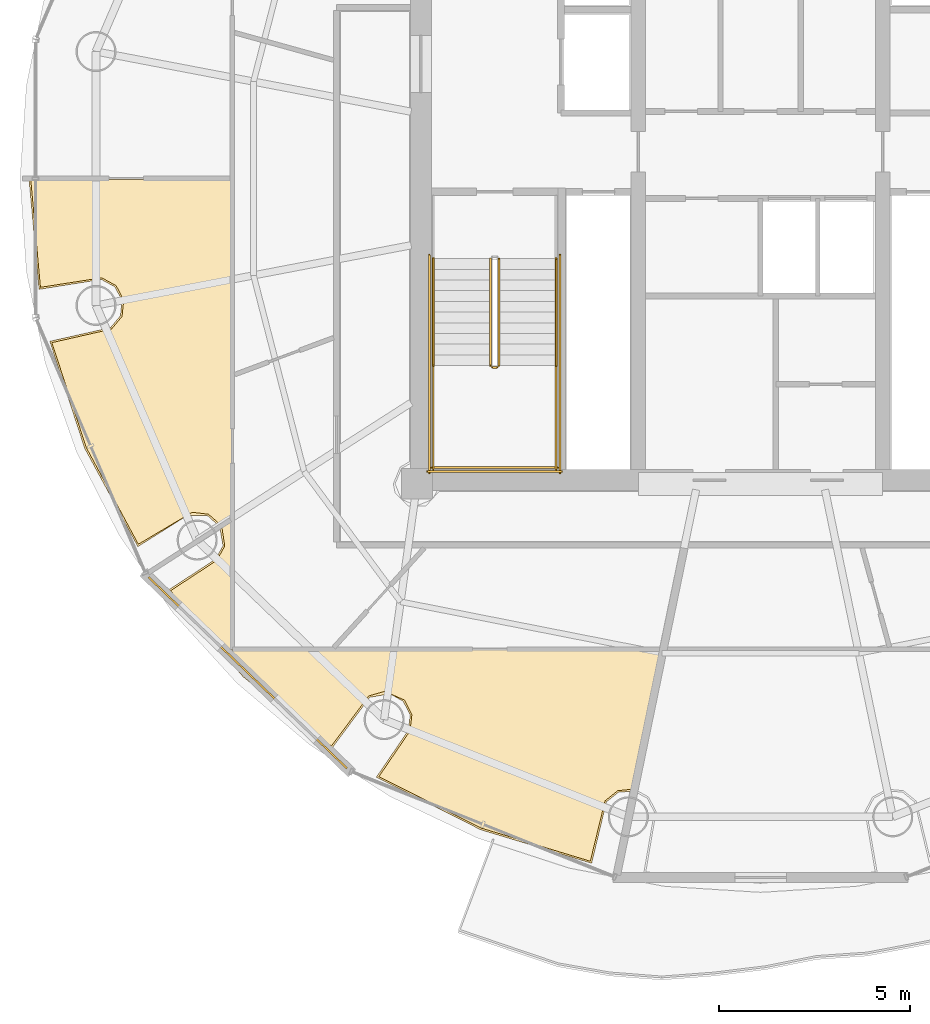
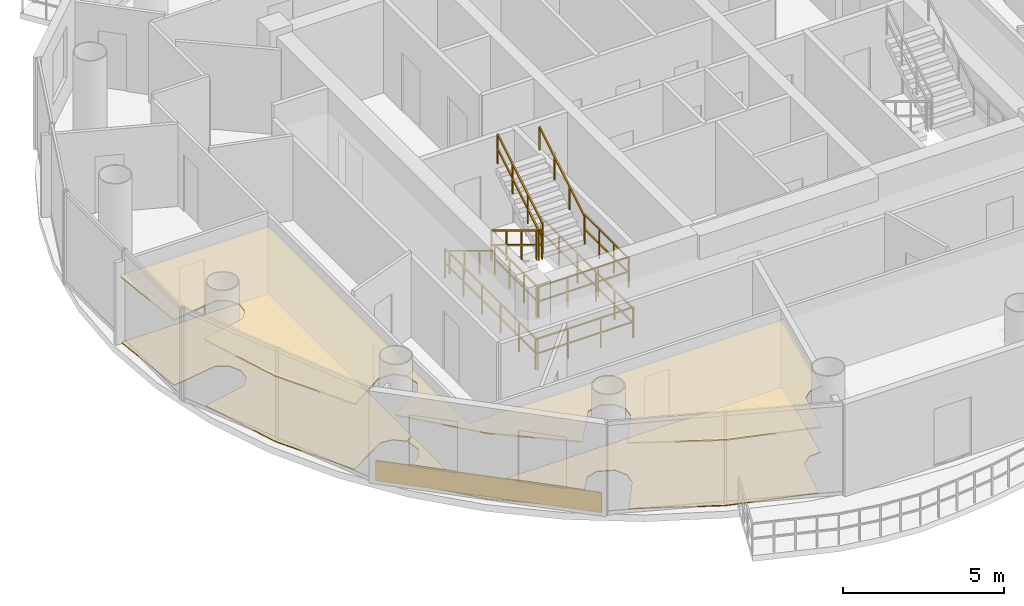
# One storey, part 19 of 22: 11 railings, 5 coverings.
"""IFC4 building model written with IfcOpenShell, lengths in metres."""

from ifc_helpers import new_model, si_unit, direction, frame, origin, origin_2d, place, context, subcontext, project, spatial, polyline, rectangle, outline, extrude, source, transform, mapped, material, layer, layer_set, type_object, element, save


model = new_model("IFC4")

# Units and contexts
model_context = context("Model", 3, precision=1e-05, world=origin(), true_north=direction((-0.2419218956, 0.970295726276)))
body_context = subcontext(model_context, "Body", "Model", "MODEL_VIEW")
ifc_project = project(units=[si_unit("LENGTHUNIT", "METRE"), si_unit("AREAUNIT", "SQUARE_METRE"), si_unit("VOLUMEUNIT", "CUBIC_METRE"), si_unit("PLANEANGLEUNIT", "RADIAN"), si_unit("MASSUNIT", "GRAM", prefix="KILO")], contexts=[model_context])

# Site, building, storey
site_placement = place(None, origin())
site = spatial("IfcSite", under=ifc_project, at=site_placement, CompositionType="ELEMENT")
building_placement = place(site_placement, origin())
building = spatial("IfcBuilding", under=site, at=building_placement, Name="Cobrevalo Terracotta Tower", CompositionType="ELEMENT")
storey_placement = place(building_placement, frame((0.0, 0.0, 289.449951171875)))
storey = spatial("IfcBuildingStorey", under=building, at=storey_placement, Name="L76", CompositionType="ELEMENT", Elevation=289.449951171875)

# Coverings
ifc_material_1 = material(Name="Engineered Brazilian hardwood flooring", Category="wood")
ifc_layer_1 = layer(ifc_material_1, 0.028076171875)
ifc_layer_set_1 = layer_set([ifc_layer_1], Name="Engineered Brazilian hardwood flooring")
covering_type_1 = type_object("IfcCoveringType", Name="Engineered Hardwood Suite Flooring 28", PredefinedType="FLOORING", material=ifc_layer_set_1)
covering_1_placement = place(storey_placement, origin())
element("IfcCovering", 1, at=covering_1_placement, inside=storey, type_object=covering_type_1, Name="Flat L76A Penthouse Family Lounge floor finish", PredefinedType="FLOORING", context=body_context, shape_type="SweptSolid", body=[
    extrude(outline(polyline([(20.33544921875, 19.751220703125), (19.43505859375, 22.49951171875), (20.99755859375, 22.855224609375), (21.272705078125, 23.185302734375), (21.318115234375, 23.612548828125), (21.118408203125, 23.9931640625), (20.740966796875, 24.198486328125), (19.1357421875, 23.948974609375), (18.88134765625, 26.780029296875), (24.14501953125, 26.780029296875), (24.14501953125, 17.900146484375), (23.864501953125, 17.719482421875), (23.537109375, 18.005859375), (23.1103515625, 18.055908203125), (21.699951171875, 17.217529296875), (20.33544921875, 19.751220703125)])), origin(), (0.0, 0.0, 1.0), 0.030029296875),
])
covering_2_placement = place(storey_placement, origin())
element("IfcCovering", 2, at=covering_2_placement, inside=storey, type_object=covering_type_1, Name="Flat L76A Private Cinema Room floor finish", PredefinedType="FLOORING", context=body_context, shape_type="SweptSolid", body=[
    extrude(outline(polyline([(28.00146484375, 11.130126953125), (28.81689453125, 12.327392578125), (28.8671875, 12.754150390625), (28.671630859375, 13.136962890625), (28.152587890625, 13.363525390625), (27.739013671875, 13.246337890625), (26.756103515625, 11.931884765625), (24.47998046875, 13.775390625), (22.5439453125, 16.00048828125), (23.7548828125, 16.794677734375), (23.964599609375, 17.169677734375), (23.885498046875, 17.685546875), (24.14501953125, 17.8525390625), (24.14501953125, 14.445068359375), (35.429931640625, 14.445068359375), (34.678466796875, 10.80322265625), (34.25927734375, 10.763671875), (33.925048828125, 10.49365234375), (33.54052734375, 8.9140625), (30.682861328125, 9.7822265625), (28.00146484375, 11.130126953125)])), origin(), (0.0, 0.0, 1.0), 0.030029296875),
])
ifc_material_2 = material(Name="Acoustic perforated gypsum ceiling", Category="gypsum")
ifc_layer_2 = layer(ifc_material_2, 0.050048828125)
ifc_layer_set_2 = layer_set([ifc_layer_2], Name="Acoustic perforated gypsum ceiling")
covering_type_2 = type_object("IfcCoveringType", Name="Perforated Acoustic Gypsum Ceiling 50", PredefinedType="CEILING", material=ifc_layer_set_2)
covering_3_placement = place(storey_placement, frame((0.0, 0.0, 2.5)))
element("IfcCovering", 3, at=covering_3_placement, inside=storey, type_object=covering_type_2, Name="Flat L76A Penthouse Family Lounge acoustic ceiling", PredefinedType="CEILING", context=body_context, shape_type="SweptSolid", body=[
    extrude(outline(polyline([(20.2939453125, 19.7333984375), (19.3818359375, 22.53515625), (20.97265625, 22.89306640625), (21.23095703125, 23.202880859375), (21.273681640625, 23.60400390625), (21.086181640625, 23.96142578125), (20.731689453125, 24.154296875), (19.100830078125, 23.896484375), (18.833251953125, 26.824951171875), (24.18994140625, 26.824951171875), (24.18994140625, 17.875732421875), (23.853271484375, 17.658935546875), (23.51904296875, 17.964599609375), (22.9873046875, 17.974365234375), (21.687744140625, 17.15625), (20.2939453125, 19.7333984375)])), origin(), (0.0, 0.0, 1.0), 0.050048828125),
])
covering_4_placement = place(storey_placement, frame((0.0, 0.0, 2.5)))
element("IfcCovering", 4, at=covering_4_placement, inside=storey, type_object=covering_type_2, Name="Flat L76A Private Cinema Room acoustic ceiling", PredefinedType="CEILING", context=body_context, shape_type="SweptSolid", body=[
    extrude(outline(polyline([(27.937744140625, 11.11767578125), (28.775634765625, 12.345458984375), (28.822509765625, 12.746337890625), (28.63916015625, 13.10546875), (28.286865234375, 13.30224609375), (27.763427734375, 13.208251953125), (26.768310546875, 11.87060546875), (24.448486328125, 13.742919921875), (22.48046875, 16.01318359375), (23.7236328125, 16.8271484375), (23.92041015625, 17.179443359375), (23.826904296875, 17.701416015625), (24.18994140625, 17.93505859375), (24.18994140625, 14.489990234375), (35.4853515625, 14.489990234375), (34.71435546875, 10.754150390625), (34.2763671875, 10.7216796875), (33.96240234375, 10.46826171875), (33.575439453125, 8.861328125), (30.666259765625, 9.740478515625), (27.937744140625, 11.11767578125)])), origin(), (0.0, 0.0, 1.0), 0.050048828125),
])

# Railings
ifc_material_3 = material(Name="Brushed stainless steel", Category="steel")
railing_type_1 = type_object("IfcRailingType", Name="Stainless Steel Stair Handrail 900", PredefinedType="HANDRAIL", material=ifc_material_3)
railing_1_placement = place(storey_placement, frame((29.425048828125, 24.699951171875, 0.17041015625)))
element("IfcRailing", 5, at=railing_1_placement, inside=storey, type_object=railing_type_1, Name="L76 ST-1 stair handrail 1", PredefinedType="HANDRAIL", context=body_context, shape_type="SweptSolid", body=[
    extrude(rectangle(XDim=0.048095703125, YDim=0.048095703125, at=origin_2d()), frame((0.0, 0.0, 0.8759765625), z_axis=(0.0, -0.854169791009, 0.51999420009), x_axis=(1.0, 0.0, 0.0)), (0.0, 0.0, 1.0), 3.278076171875),
    extrude(rectangle(XDim=0.0419921875, YDim=0.0419921875, at=origin_2d()), origin(), (0.0, 0.0, 1.0), 0.851806640625),
    extrude(rectangle(XDim=0.0419921875, YDim=0.0419921875, at=origin_2d()), frame((0.0, -0.933349609375, 0.568115234375)), (0.0, 0.0, 1.0), 0.851806640625),
    extrude(rectangle(XDim=0.0419921875, YDim=0.0419921875, at=origin_2d()), frame((0.0, -1.86669921875, 1.136474609375)), (0.0, 0.0, 1.0), 0.851806640625),
    extrude(rectangle(XDim=0.0419921875, YDim=0.0419921875, at=origin_2d()), frame((0.0, -2.800048828125, 1.70458984375)), (0.0, 0.0, 1.0), 0.851806640625),
])
railing_2_placement = place(storey_placement, frame((32.64501953125, 21.89990234375, 2.04541015625)))
element("IfcRailing", 6, at=railing_2_placement, inside=storey, type_object=railing_type_1, Name="L76 ST-1 stair handrail 2", PredefinedType="HANDRAIL", context=body_context, shape_type="SweptSolid", body=[
    extrude(rectangle(XDim=0.048095703125, YDim=0.048095703125, at=origin_2d()), frame((0.0, 0.0, 0.8759765625), z_axis=(0.0, 0.854169791009, 0.51999420009), x_axis=(-1.0, 0.0, 0.0)), (0.0, 0.0, 1.0), 3.278076171875),
    extrude(rectangle(XDim=0.0419921875, YDim=0.0419921875, at=origin_2d()), origin(), (0.0, 0.0, 1.0), 0.851806640625),
    extrude(rectangle(XDim=0.0419921875, YDim=0.0419921875, at=origin_2d()), frame((0.0, 0.933349609375, 0.568115234375)), (0.0, 0.0, 1.0), 0.851806640625),
    extrude(rectangle(XDim=0.0419921875, YDim=0.0419921875, at=origin_2d()), frame((0.0, 1.86669921875, 1.136474609375)), (0.0, 0.0, 1.0), 0.851806640625),
    extrude(rectangle(XDim=0.0419921875, YDim=0.0419921875, at=origin_2d()), frame((0.0, 2.800048828125, 1.70458984375)), (0.0, 0.0, 1.0), 0.851806640625),
])
ifc_material_4 = material(Name="Painted galvanized steel", Category="steel")
railing_type_2 = type_object("IfcRailingType", Name="Stair Well Guard Balustrade 1150", PredefinedType="GUARDRAIL", material=ifc_material_4)
railing_3_placement = place(storey_placement, frame((30.925048828125, 24.699951171875, 0.17041015625)))
element("IfcRailing", 7, at=railing_3_placement, inside=storey, type_object=railing_type_2, Name="L76 ST-1 stair guard 1", PredefinedType="GUARDRAIL", context=body_context, shape_type="SweptSolid", body=[
    extrude(rectangle(XDim=0.048095703125, YDim=0.048095703125, at=origin_2d()), frame((0.0, 0.0, 1.1259765625), z_axis=(0.0, -0.854169791009, 0.51999420009), x_axis=(1.0, 0.0, 0.0)), (0.0, 0.0, 1.0), 3.278076171875),
    extrude(rectangle(XDim=0.048095703125, YDim=0.048095703125, at=origin_2d()), frame((0.0, 0.0, 0.574951171875), z_axis=(0.0, -0.854169791009, 0.51999420009), x_axis=(1.0, 0.0, 0.0)), (0.0, 0.0, 1.0), 3.278076171875),
    extrude(rectangle(XDim=0.0419921875, YDim=0.0419921875, at=origin_2d()), origin(), (0.0, 0.0, 1.0), 1.101806640625),
    extrude(rectangle(XDim=0.0419921875, YDim=0.0419921875, at=origin_2d()), frame((0.0, -0.933349609375, 0.568115234375)), (0.0, 0.0, 1.0), 1.101806640625),
    extrude(rectangle(XDim=0.0419921875, YDim=0.0419921875, at=origin_2d()), frame((0.0, -1.86669921875, 1.136474609375)), (0.0, 0.0, 1.0), 1.101806640625),
    extrude(rectangle(XDim=0.0419921875, YDim=0.0419921875, at=origin_2d()), frame((0.0, -2.800048828125, 1.70458984375)), (0.0, 0.0, 1.0), 1.101806640625),
])
railing_4_placement = place(storey_placement, frame((30.97509765625, 21.85009765625, 1.875)))
element("IfcRailing", 8, at=railing_4_placement, inside=storey, type_object=railing_type_2, Name="L76 ST-1 stair guard 2", PredefinedType="GUARDRAIL", context=body_context, shape_type="SweptSolid", body=[
    extrude(rectangle(XDim=0.048095703125, YDim=0.048095703125, at=origin_2d()), frame((0.0, 0.0, 1.1259765625), z_axis=(1.0, 0.0, 0.0), x_axis=(0.0, 1.0, 0.0)), (0.0, 0.0, 1.0), 0.119873046875),
    extrude(rectangle(XDim=0.048095703125, YDim=0.048095703125, at=origin_2d()), frame((0.0, 0.0, 0.574951171875), z_axis=(1.0, 0.0, 0.0), x_axis=(0.0, 1.0, 0.0)), (0.0, 0.0, 1.0), 0.119873046875),
    extrude(rectangle(XDim=0.0419921875, YDim=0.0419921875, at=origin_2d()), origin(), (0.0, 0.0, 1.0), 1.101806640625),
    extrude(rectangle(XDim=0.0419921875, YDim=0.0419921875, at=origin_2d()), frame((0.119873046875, 0.0, 0.0)), (0.0, 0.0, 1.0), 1.101806640625),
])
for number, where, name in (
    (9, (29.425048828125, 21.89990234375, 1.875), "L76 ST-1 stair guard 3"),
    (10, (32.64501953125, 21.89990234375, 1.875), "L76 ST-1 stair guard 4"),
):
    element("IfcRailing", number, at=place(storey_placement, frame(where)), inside=storey, type_object=railing_type_2, Name=name, PredefinedType="GUARDRAIL", context=body_context, shape_type="SweptSolid", body=[
        extrude(rectangle(XDim=0.048095703125, YDim=0.048095703125, at=origin_2d()), frame((0.0, 0.0, 1.1259765625), z_axis=(0.0, -1.0, 0.0), x_axis=(1.0, 0.0, 0.0)), (0.0, 0.0, 1.0), 2.724853515625),
        extrude(rectangle(XDim=0.048095703125, YDim=0.048095703125, at=origin_2d()), frame((0.0, 0.0, 0.574951171875), z_axis=(0.0, -1.0, 0.0), x_axis=(1.0, 0.0, 0.0)), (0.0, 0.0, 1.0), 2.724853515625),
        extrude(rectangle(XDim=0.0419921875, YDim=0.0419921875, at=origin_2d()), origin(), (0.0, 0.0, 1.0), 1.101806640625),
        extrude(rectangle(XDim=0.0419921875, YDim=0.0419921875, at=origin_2d()), frame((0.0, -0.908203125, 0.0)), (0.0, 0.0, 1.0), 1.101806640625),
        extrude(rectangle(XDim=0.0419921875, YDim=0.0419921875, at=origin_2d()), frame((0.0, -1.816650390625, 0.0)), (0.0, 0.0, 1.0), 1.101806640625),
        extrude(rectangle(XDim=0.0419921875, YDim=0.0419921875, at=origin_2d()), frame((0.0, -2.724853515625, 0.0)), (0.0, 0.0, 1.0), 1.101806640625),
    ])
railing_5_placement = place(storey_placement, frame((29.375, 19.22509765625, 1.875)))
element("IfcRailing", 11, at=railing_5_placement, inside=storey, type_object=railing_type_2, Name="L76 ST-1 stair guard 5", PredefinedType="GUARDRAIL", context=body_context, shape_type="SweptSolid", body=[
    extrude(rectangle(XDim=0.048095703125, YDim=0.048095703125, at=origin_2d()), frame((0.0, 0.0, 1.1259765625), z_axis=(1.0, 0.0, 0.0), x_axis=(0.0, 1.0, 0.0)), (0.0, 0.0, 1.0), 3.320068359375),
    extrude(rectangle(XDim=0.048095703125, YDim=0.048095703125, at=origin_2d()), frame((0.0, 0.0, 0.574951171875), z_axis=(1.0, 0.0, 0.0), x_axis=(0.0, 1.0, 0.0)), (0.0, 0.0, 1.0), 3.320068359375),
    extrude(rectangle(XDim=0.0419921875, YDim=0.0419921875, at=origin_2d()), origin(), (0.0, 0.0, 1.0), 1.101806640625),
    extrude(rectangle(XDim=0.0419921875, YDim=0.0419921875, at=origin_2d()), frame((1.106689453125, 0.0, 0.0)), (0.0, 0.0, 1.0), 1.101806640625),
    extrude(rectangle(XDim=0.0419921875, YDim=0.0419921875, at=origin_2d()), frame((2.21337890625, 0.0, 0.0)), (0.0, 0.0, 1.0), 1.101806640625),
    extrude(rectangle(XDim=0.0419921875, YDim=0.0419921875, at=origin_2d()), frame((3.320068359375, 0.0, 0.0)), (0.0, 0.0, 1.0), 1.101806640625),
])
railing_6_placement = place(storey_placement, frame((31.14501953125, 21.89990234375, 2.04541015625)))
element("IfcRailing", 12, at=railing_6_placement, inside=storey, type_object=railing_type_2, Name="L76 ST-1 stair guard 6", PredefinedType="GUARDRAIL", context=body_context, shape_type="SweptSolid", body=[
    extrude(rectangle(XDim=0.048095703125, YDim=0.048095703125, at=origin_2d()), frame((0.0, 0.0, 1.1259765625), z_axis=(0.0, 0.854169791009, 0.51999420009), x_axis=(-1.0, 0.0, 0.0)), (0.0, 0.0, 1.0), 3.278076171875),
    extrude(rectangle(XDim=0.048095703125, YDim=0.048095703125, at=origin_2d()), frame((0.0, 0.0, 0.574951171875), z_axis=(0.0, 0.854169791009, 0.51999420009), x_axis=(-1.0, 0.0, 0.0)), (0.0, 0.0, 1.0), 3.278076171875),
    extrude(rectangle(XDim=0.0419921875, YDim=0.0419921875, at=origin_2d()), origin(), (0.0, 0.0, 1.0), 1.101806640625),
    extrude(rectangle(XDim=0.0419921875, YDim=0.0419921875, at=origin_2d()), frame((0.0, 0.933349609375, 0.568115234375)), (0.0, 0.0, 1.0), 1.101806640625),
    extrude(rectangle(XDim=0.0419921875, YDim=0.0419921875, at=origin_2d()), frame((0.0, 1.86669921875, 1.136474609375)), (0.0, 0.0, 1.0), 1.101806640625),
    extrude(rectangle(XDim=0.0419921875, YDim=0.0419921875, at=origin_2d()), frame((0.0, 2.800048828125, 1.70458984375)), (0.0, 0.0, 1.0), 1.101806640625),
])
for number, where, name in (
    (13, (29.324951171875, 24.800048828125, 0.0), "L76 ST-1 stair guard 10"),
    (14, (32.7451171875, 24.800048828125, 0.0), "L76 ST-1 stair guard 11"),
):
    element("IfcRailing", number, at=place(storey_placement, frame(where)), inside=storey, type_object=railing_type_2, Name=name, PredefinedType="GUARDRAIL", context=body_context, shape_type="SweptSolid", body=[
        extrude(rectangle(XDim=0.048095703125, YDim=0.048095703125, at=origin_2d()), frame((0.0, 0.0, 1.1259765625), z_axis=(0.0, -1.0, 0.0), x_axis=(1.0, 0.0, 0.0)), (0.0, 0.0, 1.0), 5.72509765625),
        extrude(rectangle(XDim=0.048095703125, YDim=0.048095703125, at=origin_2d()), frame((0.0, 0.0, 0.574951171875), z_axis=(0.0, -1.0, 0.0), x_axis=(1.0, 0.0, 0.0)), (0.0, 0.0, 1.0), 5.72509765625),
        extrude(rectangle(XDim=0.0419921875, YDim=0.0419921875, at=origin_2d()), origin(), (0.0, 0.0, 1.0), 1.101806640625),
        extrude(rectangle(XDim=0.0419921875, YDim=0.0419921875, at=origin_2d()), frame((0.0, -1.14501953125, 0.0)), (0.0, 0.0, 1.0), 1.101806640625),
        extrude(rectangle(XDim=0.0419921875, YDim=0.0419921875, at=origin_2d()), frame((0.0, -2.2900390625, 0.0)), (0.0, 0.0, 1.0), 1.101806640625),
        extrude(rectangle(XDim=0.0419921875, YDim=0.0419921875, at=origin_2d()), frame((0.0, -3.43505859375, 0.0)), (0.0, 0.0, 1.0), 1.101806640625),
        extrude(rectangle(XDim=0.0419921875, YDim=0.0419921875, at=origin_2d()), frame((0.0, -4.580078125, 0.0)), (0.0, 0.0, 1.0), 1.101806640625),
        extrude(rectangle(XDim=0.0419921875, YDim=0.0419921875, at=origin_2d()), frame((0.0, -5.72509765625, 0.0)), (0.0, 0.0, 1.0), 1.101806640625),
    ])
railing_7_placement = place(storey_placement, frame((29.27490234375, 19.125, 0.0)))
element("IfcRailing", 15, at=railing_7_placement, inside=storey, type_object=railing_type_2, Name="L76 ST-1 stair guard 12", PredefinedType="GUARDRAIL", context=body_context, shape_type="SweptSolid", body=[
    extrude(rectangle(XDim=0.048095703125, YDim=0.048095703125, at=origin_2d()), frame((0.0, 0.0, 1.1259765625), z_axis=(1.0, 0.0, 0.0), x_axis=(0.0, 1.0, 0.0)), (0.0, 0.0, 1.0), 3.52001953125),
    extrude(rectangle(XDim=0.048095703125, YDim=0.048095703125, at=origin_2d()), frame((0.0, 0.0, 0.574951171875), z_axis=(1.0, 0.0, 0.0), x_axis=(0.0, 1.0, 0.0)), (0.0, 0.0, 1.0), 3.52001953125),
    extrude(rectangle(XDim=0.0419921875, YDim=0.0419921875, at=origin_2d()), origin(), (0.0, 0.0, 1.0), 1.101806640625),
    extrude(rectangle(XDim=0.0419921875, YDim=0.0419921875, at=origin_2d()), frame((1.17333984375, 0.0, 0.0)), (0.0, 0.0, 1.0), 1.101806640625),
    extrude(rectangle(XDim=0.0419921875, YDim=0.0419921875, at=origin_2d()), frame((2.3466796875, 0.0, 0.0)), (0.0, 0.0, 1.0), 1.101806640625),
    extrude(rectangle(XDim=0.0419921875, YDim=0.0419921875, at=origin_2d()), frame((3.52001953125, 0.0, 0.0)), (0.0, 0.0, 1.0), 1.101806640625),
])

# Covering
ifc_material_5 = material(Name="Glazed terracotta facade cladding tile", Category="masonry")
ifc_layer_3 = layer(ifc_material_5, 0.044921875)
ifc_layer_set_3 = layer_set([ifc_layer_3], Name="Glazed terracotta facade cladding tile")
covering_type_3 = type_object("IfcCoveringType", Name="Architectural terracotta rainscreen spandrel cladding 45 mm", PredefinedType="CLADDING", material=ifc_layer_set_3)
shared_shape = source(origin(), body_context, "Body", "SweptSolid", [
    extrude(rectangle(XDim=7.222412109375, YDim=0.044921875, at=origin_2d()), origin(), (0.0, 0.0, 1.0), 0.760009765625),
])
covering_5_placement = place(storey_placement, frame((24.56640625, 13.85205078125, 0.0400390625), z_axis=(0.0, 0.0, 1.0), x_axis=(0.719996603293, -0.693977586992, 0.0)))
element("IfcCovering", 16, at=covering_5_placement, inside=storey, type_object=covering_type_3, Name="L76 terracotta spandrel cladding S10", PredefinedType="CLADDING", context=body_context, shape_type="MappedRepresentation", body=[
    mapped(shared_shape, transform((0.0, 0.0, 0.0), scale=1.0)),
])

save(model, "model.ifc")
